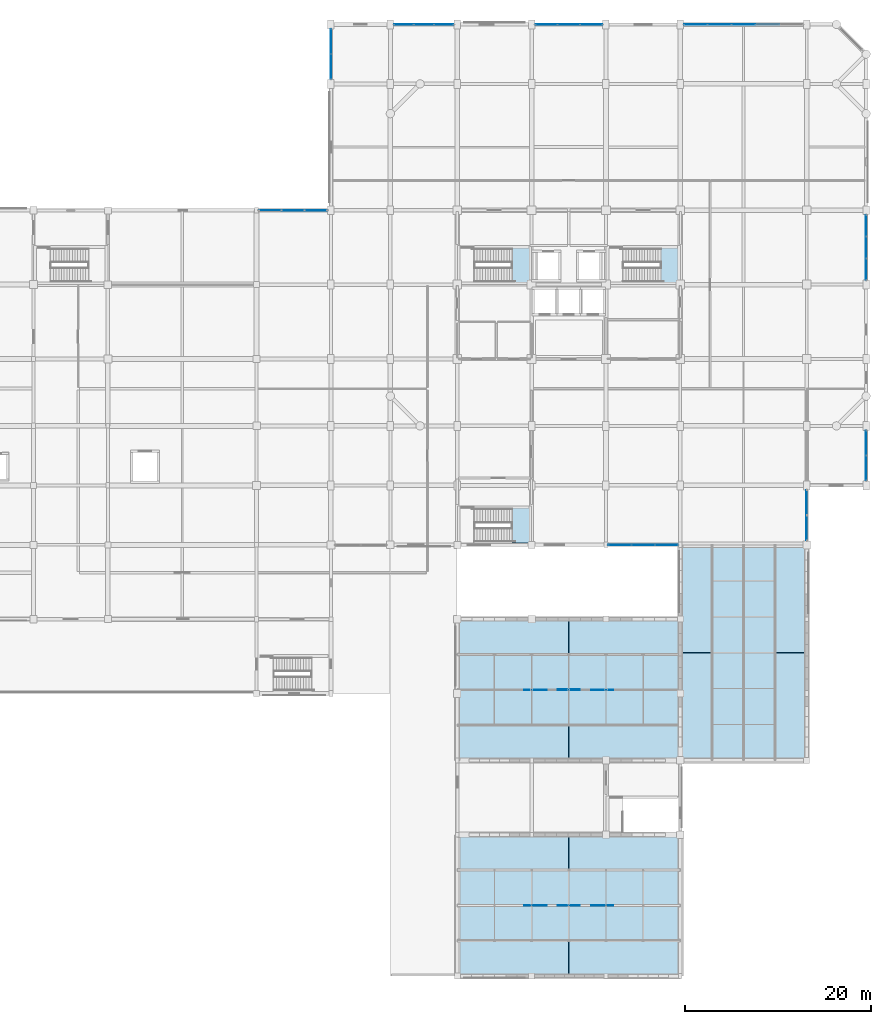
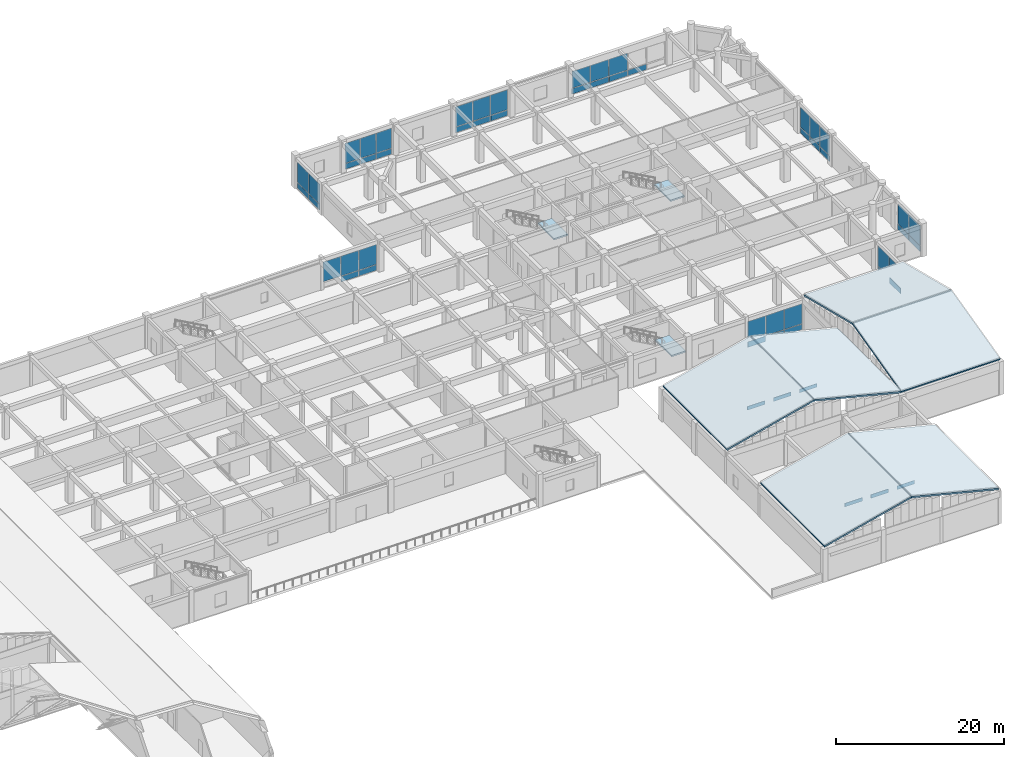
# One storey, part 38 of 61: 54 plates, 9 slabs, 12 elements without a shape of their own.
"""IFC4 building model written with IfcOpenShell, lengths in metres."""

from ifc_helpers import new_model, si_unit, direction, frame, origin, origin_2d, place, context, subcontext, project, spatial, polyline, rectangle, outline, extrude, material, layer, layer_set, type_object, element, aggregate, save


model = new_model("IFC4")

# Units and contexts
model_context = context("Model", 3, precision=1e-05, world=origin(), true_north=direction((0.0, 1.0)))
body_context = subcontext(model_context, "Body", "Model", "MODEL_VIEW")
ifc_project = project(units=[si_unit("LENGTHUNIT", "METRE"), si_unit("AREAUNIT", "SQUARE_METRE"), si_unit("VOLUMEUNIT", "CUBIC_METRE"), si_unit("PLANEANGLEUNIT", "RADIAN"), si_unit("MASSUNIT", "GRAM", prefix="KILO")], contexts=[model_context])

# Site, building, storey
site_placement = place(None, origin())
site = spatial("IfcSite", under=ifc_project, at=site_placement, CompositionType="ELEMENT")
building_placement = place(site_placement, origin())
building = spatial("IfcBuilding", under=site, at=building_placement, Name="Vellmiral Cinema and Media Centre", CompositionType="ELEMENT")
storey_placement = place(building_placement, frame((0.0, 0.0, 10.800048828125)))
storey = spatial("IfcBuildingStorey", under=building, at=storey_placement, Name="L02", CompositionType="ELEMENT", Elevation=10.800048828125)

# Curtain wall, plates
ifc_material_1 = material(Name="Thermally Broken Aluminium and Triple Glazing", Category="aluminium")
curtain_wall_type_1 = type_object("IfcCurtainWallType", Name="CW-LIB-BAY", PredefinedType="USERDEFINED", material=ifc_material_1)
curtain_wall_1_placement = place(storey_placement, origin())
curtain_wall_1 = element("IfcCurtainWall", 1, at=curtain_wall_1_placement, inside=storey, type_object=curtain_wall_type_1, Name="Curtain Wall L02-B041", ObjectType="STICK CURTAIN WALL", PredefinedType="USERDEFINED")
ifc_material_2 = material(Name="Laminated Studio Acoustic Glazing", Category="glass")
ifc_layer_1 = layer(ifc_material_2, 0.0439453125, Name="Laminated Studio Acoustic Glazing")
ifc_layer_set_1 = layer_set([ifc_layer_1], Name="Laminated Studio Acoustic Glazing")
plate_type_1 = type_object("IfcPlateType", Name="CWP-ACOUST-44", PredefinedType="CURTAIN_PANEL", material=ifc_layer_set_1)
plate_1_placement = place(storey_placement, frame((161.60009765625, 61.017578125, 0.93505859375), z_axis=(0.0, 0.0, 1.0), x_axis=(0.0, 1.0, 0.0)))
plate_1 = element("IfcPlate", 2, at=plate_1_placement, type_object=plate_type_1, Name="CW-03 panel 1.2", PredefinedType="CURTAIN_PANEL", context=body_context, shape_type="SweptSolid", body=[
    extrude(rectangle(XDim=2.64501953125, YDim=0.0439453125, at=origin_2d()), origin(), (0.0, 0.0, 1.0), 2.89501953125),
])
plate_2_placement = place(storey_placement, frame((161.60009765625, 63.732421875, 0.93505859375), z_axis=(0.0, 0.0, 1.0), x_axis=(0.0, 1.0, 0.0)))
plate_2 = element("IfcPlate", 3, at=plate_2_placement, type_object=plate_type_1, Name="CW-03 panel 2.2", PredefinedType="CURTAIN_PANEL", context=body_context, shape_type="SweptSolid", body=[
    extrude(rectangle(XDim=2.64501953125, YDim=0.0439453125, at=origin_2d()), origin(), (0.0, 0.0, 1.0), 2.89501953125),
])

curtain_wall_2_placement = place(storey_placement, origin())
curtain_wall_2 = element("IfcCurtainWall", 4, at=curtain_wall_2_placement, inside=storey, type_object=curtain_wall_type_1, Name="Curtain Wall L02-B043", ObjectType="STICK CURTAIN WALL", PredefinedType="USERDEFINED")
plate_3_placement = place(storey_placement, frame((168.0, 67.455078125, 0.93505859375), z_axis=(0.0, 0.0, 1.0), x_axis=(0.0, 1.0, 0.0)))
plate_3 = element("IfcPlate", 5, at=plate_3_placement, type_object=plate_type_1, Name="CW-03 panel 1.2", PredefinedType="CURTAIN_PANEL", context=body_context, shape_type="SweptSolid", body=[
    extrude(rectangle(XDim=2.6201171875, YDim=0.0439453125, at=origin_2d()), origin(), (0.0, 0.0, 1.0), 2.8798828125),
])
plate_4_placement = place(storey_placement, frame((168.0, 70.14501953125, 0.93505859375), z_axis=(0.0, 0.0, 1.0), x_axis=(0.0, 1.0, 0.0)))
plate_4 = element("IfcPlate", 6, at=plate_4_placement, type_object=plate_type_1, Name="CW-03 panel 2.2", PredefinedType="CURTAIN_PANEL", context=body_context, shape_type="SweptSolid", body=[
    extrude(rectangle(XDim=2.6201171875, YDim=0.0439453125, at=origin_2d()), origin(), (0.0, 0.0, 1.0), 2.8798828125),
])

curtain_wall_3_placement = place(storey_placement, origin())
curtain_wall_3 = element("IfcCurtainWall", 7, at=curtain_wall_3_placement, inside=storey, type_object=curtain_wall_type_1, Name="Curtain Wall L02-B047", ObjectType="STICK CURTAIN WALL", PredefinedType="USERDEFINED")
plate_5_placement = place(storey_placement, frame((168.0, 88.867431640625, 0.93505859375), z_axis=(0.0, 0.0, 1.0), x_axis=(0.0, 1.0, 0.0)))
plate_5 = element("IfcPlate", 8, at=plate_5_placement, type_object=plate_type_1, Name="CW-03 panel 1.2", PredefinedType="CURTAIN_PANEL", context=body_context, shape_type="SweptSolid", body=[
    extrude(rectangle(XDim=2.2451171875, YDim=0.0439453125, at=origin_2d()), origin(), (0.0, 0.0, 1.0), 2.89501953125),
])
plate_6_placement = place(storey_placement, frame((168.0, 91.199951171875, 0.93505859375), z_axis=(0.0, 0.0, 1.0), x_axis=(0.0, 1.0, 0.0)))
plate_6 = element("IfcPlate", 9, at=plate_6_placement, type_object=plate_type_1, Name="CW-03 panel 2.2", PredefinedType="CURTAIN_PANEL", context=body_context, shape_type="SweptSolid", body=[
    extrude(rectangle(XDim=2.280029296875, YDim=0.0439453125, at=origin_2d()), origin(), (0.0, 0.0, 1.0), 2.89501953125),
])
plate_7_placement = place(storey_placement, frame((168.0, 93.532470703125, 0.93505859375), z_axis=(0.0, 0.0, 1.0), x_axis=(0.0, 1.0, 0.0)))
plate_7 = element("IfcPlate", 10, at=plate_7_placement, type_object=plate_type_1, Name="CW-03 panel 3.2", PredefinedType="CURTAIN_PANEL", context=body_context, shape_type="SweptSolid", body=[
    extrude(rectangle(XDim=2.2451171875, YDim=0.0439453125, at=origin_2d()), origin(), (0.0, 0.0, 1.0), 2.89501953125),
])

curtain_wall_4_placement = place(storey_placement, origin())
curtain_wall_4 = element("IfcCurtainWall", 11, at=curtain_wall_4_placement, inside=storey, type_object=curtain_wall_type_1, Name="Curtain Wall L02-B053", ObjectType="STICK CURTAIN WALL", PredefinedType="USERDEFINED")
plate_8_placement = place(storey_placement, frame((154.800048828125, 115.199951171875, 0.93505859375), z_axis=(0.0, 0.0, 1.0), x_axis=(-1.0, 0.0, 0.0)))
plate_8 = element("IfcPlate", 12, at=plate_8_placement, type_object=plate_type_1, Name="CW-03 panel 3.2", PredefinedType="CURTAIN_PANEL", context=body_context, shape_type="SweptSolid", body=[
    extrude(rectangle(XDim=2.510009765625, YDim=0.0439453125, at=origin_2d()), origin(), (0.0, 0.0, 1.0), 2.429931640625),
])
plate_9_placement = place(storey_placement, frame((152.219970703125, 115.199951171875, 0.93505859375), z_axis=(0.0, 0.0, 1.0), x_axis=(-1.0, 0.0, 0.0)))
plate_9 = element("IfcPlate", 13, at=plate_9_placement, type_object=plate_type_1, Name="CW-03 panel 4.2", PredefinedType="CURTAIN_PANEL", context=body_context, shape_type="SweptSolid", body=[
    extrude(rectangle(XDim=2.510009765625, YDim=0.0439453125, at=origin_2d()), origin(), (0.0, 0.0, 1.0), 2.429931640625),
])
plate_10_placement = place(storey_placement, frame((149.657470703125, 115.199951171875, 0.93505859375), z_axis=(0.0, 0.0, 1.0), x_axis=(-1.0, 0.0, 0.0)))
plate_10 = element("IfcPlate", 14, at=plate_10_placement, type_object=plate_type_1, Name="CW-03 panel 5.2", PredefinedType="CURTAIN_PANEL", context=body_context, shape_type="SweptSolid", body=[
    extrude(rectangle(XDim=2.47509765625, YDim=0.0439453125, at=origin_2d()), origin(), (0.0, 0.0, 1.0), 2.429931640625),
])

curtain_wall_5_placement = place(storey_placement, origin())
curtain_wall_5 = element("IfcCurtainWall", 15, at=curtain_wall_5_placement, inside=storey, type_object=curtain_wall_type_1, Name="Curtain Wall L02-B055", ObjectType="STICK CURTAIN WALL", PredefinedType="USERDEFINED")
plate_11_placement = place(storey_placement, frame((138.415771484375, 115.199951171875, 0.93505859375), z_axis=(0.0, 0.0, 1.0), x_axis=(-1.0, 0.0, 0.0)))
plate_11 = element("IfcPlate", 16, at=plate_11_placement, type_object=plate_type_1, Name="CW-03 panel 1.2", PredefinedType="CURTAIN_PANEL", context=body_context, shape_type="SweptSolid", body=[
    extrude(rectangle(XDim=2.328369140625, YDim=0.0439453125, at=origin_2d()), origin(), (0.0, 0.0, 1.0), 2.89501953125),
])
plate_12_placement = place(storey_placement, frame((136.0, 115.199951171875, 0.93505859375), z_axis=(0.0, 0.0, 1.0), x_axis=(-1.0, 0.0, 0.0)))
plate_12 = element("IfcPlate", 17, at=plate_12_placement, type_object=plate_type_1, Name="CW-03 panel 2.2", PredefinedType="CURTAIN_PANEL", context=body_context, shape_type="SweptSolid", body=[
    extrude(rectangle(XDim=2.36328125, YDim=0.0439453125, at=origin_2d()), origin(), (0.0, 0.0, 1.0), 2.89501953125),
])
plate_13_placement = place(storey_placement, frame((133.584228515625, 115.199951171875, 0.93505859375), z_axis=(0.0, 0.0, 1.0), x_axis=(-1.0, 0.0, 0.0)))
plate_13 = element("IfcPlate", 18, at=plate_13_placement, type_object=plate_type_1, Name="CW-03 panel 3.2", PredefinedType="CURTAIN_PANEL", context=body_context, shape_type="SweptSolid", body=[
    extrude(rectangle(XDim=2.328369140625, YDim=0.0439453125, at=origin_2d()), origin(), (0.0, 0.0, 1.0), 2.89501953125),
])

curtain_wall_6_placement = place(storey_placement, origin())
curtain_wall_6 = element("IfcCurtainWall", 19, at=curtain_wall_6_placement, inside=storey, type_object=curtain_wall_type_1, Name="Curtain Wall L02-B057", ObjectType="STICK CURTAIN WALL", PredefinedType="USERDEFINED")
plate_14_placement = place(storey_placement, frame((122.549072265625, 115.199951171875, 0.93505859375), z_axis=(0.0, 0.0, 1.0), x_axis=(-1.0, 0.0, 0.0)))
plate_14 = element("IfcPlate", 20, at=plate_14_placement, type_object=plate_type_1, Name="CW-03 panel 1.2", PredefinedType="CURTAIN_PANEL", context=body_context, shape_type="SweptSolid", body=[
    extrude(rectangle(XDim=2.061767578125, YDim=0.0439453125, at=origin_2d()), origin(), (0.0, 0.0, 1.0), 2.89501953125),
])
plate_15_placement = place(storey_placement, frame((120.39990234375, 115.199951171875, 0.93505859375), z_axis=(0.0, 0.0, 1.0), x_axis=(-1.0, 0.0, 0.0)))
plate_15 = element("IfcPlate", 21, at=plate_15_placement, type_object=plate_type_1, Name="CW-03 panel 2.2", PredefinedType="CURTAIN_PANEL", context=body_context, shape_type="SweptSolid", body=[
    extrude(rectangle(XDim=2.0966796875, YDim=0.0439453125, at=origin_2d()), origin(), (0.0, 0.0, 1.0), 2.89501953125),
])
plate_16_placement = place(storey_placement, frame((118.250732421875, 115.199951171875, 0.93505859375), z_axis=(0.0, 0.0, 1.0), x_axis=(-1.0, 0.0, 0.0)))
plate_16 = element("IfcPlate", 22, at=plate_16_placement, type_object=plate_type_1, Name="CW-03 panel 3.2", PredefinedType="CURTAIN_PANEL", context=body_context, shape_type="SweptSolid", body=[
    extrude(rectangle(XDim=2.061767578125, YDim=0.0439453125, at=origin_2d()), origin(), (0.0, 0.0, 1.0), 2.89501953125),
])

curtain_wall_7_placement = place(storey_placement, origin())
curtain_wall_7 = element("IfcCurtainWall", 23, at=curtain_wall_7_placement, inside=storey, type_object=curtain_wall_type_1, Name="Curtain Wall L02-B059", ObjectType="STICK CURTAIN WALL", PredefinedType="USERDEFINED")
plate_17_placement = place(storey_placement, frame((110.39990234375, 113.344970703125, 0.93505859375), z_axis=(0.0, 0.0, 1.0), x_axis=(0.0, -1.0, 0.0)))
plate_17 = element("IfcPlate", 24, at=plate_17_placement, type_object=plate_type_1, Name="CW-03 panel 1.2", PredefinedType="CURTAIN_PANEL", context=body_context, shape_type="SweptSolid", body=[
    extrude(rectangle(XDim=2.6201171875, YDim=0.0439453125, at=origin_2d()), origin(), (0.0, 0.0, 1.0), 2.89501953125),
])
plate_18_placement = place(storey_placement, frame((110.39990234375, 110.655029296875, 0.93505859375), z_axis=(0.0, 0.0, 1.0), x_axis=(0.0, -1.0, 0.0)))
plate_18 = element("IfcPlate", 25, at=plate_18_placement, type_object=plate_type_1, Name="CW-03 panel 2.2", PredefinedType="CURTAIN_PANEL", context=body_context, shape_type="SweptSolid", body=[
    extrude(rectangle(XDim=2.6201171875, YDim=0.0439453125, at=origin_2d()), origin(), (0.0, 0.0, 1.0), 2.89501953125),
])

curtain_wall_8_placement = place(storey_placement, origin())
curtain_wall_8 = element("IfcCurtainWall", 26, at=curtain_wall_8_placement, inside=storey, type_object=curtain_wall_type_1, Name="Curtain Wall L02-B061", ObjectType="STICK CURTAIN WALL", PredefinedType="USERDEFINED")
plate_19_placement = place(storey_placement, frame((108.790771484375, 95.199951171875, 0.93505859375), z_axis=(0.0, 0.0, 1.0), x_axis=(-1.0, 0.0, 0.0)))
plate_19 = element("IfcPlate", 27, at=plate_19_placement, type_object=plate_type_1, Name="CW-03 panel 1.2", PredefinedType="CURTAIN_PANEL", context=body_context, shape_type="SweptSolid", body=[
    extrude(rectangle(XDim=2.37841796875, YDim=0.0439453125, at=origin_2d()), origin(), (0.0, 0.0, 1.0), 2.8798828125),
])
plate_20_placement = place(storey_placement, frame((106.324951171875, 95.199951171875, 0.93505859375), z_axis=(0.0, 0.0, 1.0), x_axis=(-1.0, 0.0, 0.0)))
plate_20 = element("IfcPlate", 28, at=plate_20_placement, type_object=plate_type_1, Name="CW-03 panel 2.2", PredefinedType="CURTAIN_PANEL", context=body_context, shape_type="SweptSolid", body=[
    extrude(rectangle(XDim=2.413330078125, YDim=0.0439453125, at=origin_2d()), origin(), (0.0, 0.0, 1.0), 2.8798828125),
])
plate_21_placement = place(storey_placement, frame((103.859130859375, 95.199951171875, 0.93505859375), z_axis=(0.0, 0.0, 1.0), x_axis=(-1.0, 0.0, 0.0)))
plate_21 = element("IfcPlate", 29, at=plate_21_placement, type_object=plate_type_1, Name="CW-03 panel 3.2", PredefinedType="CURTAIN_PANEL", context=body_context, shape_type="SweptSolid", body=[
    extrude(rectangle(XDim=2.37841796875, YDim=0.0439453125, at=origin_2d()), origin(), (0.0, 0.0, 1.0), 2.8798828125),
])

# Plate
ifc_material_3 = material(Name="Honed Vosges Sandstone Spandrel Panel", Category="masonry")
ifc_layer_2 = layer(ifc_material_3, 0.06005859375, Name="Honed Vosges Sandstone Spandrel Panel")
ifc_layer_set_2 = layer_set([ifc_layer_2], Name="Honed Vosges Sandstone Spandrel Panel")
plate_type_2 = type_object("IfcPlateType", Name="CWP-SAND-60", PredefinedType="CURTAIN_PANEL", material=ifc_layer_set_2)
plate_22_placement = place(storey_placement, frame((161.60009765625, 61.017578125, 0.070068359375), z_axis=(0.0, 0.0, 1.0), x_axis=(0.0, 1.0, 0.0)))
plate_22 = element("IfcPlate", 30, at=plate_22_placement, type_object=plate_type_2, Name="CW-03 panel 1.1", PredefinedType="CURTAIN_PANEL", context=body_context, shape_type="SweptSolid", body=[
    extrude(rectangle(XDim=2.64501953125, YDim=0.06005859375, at=origin_2d()), origin(), (0.0, 0.0, 1.0), 0.794921875),
])

plate_23_placement = place(storey_placement, frame((161.60009765625, 63.732421875, 0.070068359375), z_axis=(0.0, 0.0, 1.0), x_axis=(0.0, 1.0, 0.0)))
plate_23 = element("IfcPlate", 31, at=plate_23_placement, type_object=plate_type_2, Name="CW-03 panel 2.1", PredefinedType="CURTAIN_PANEL", context=body_context, shape_type="SweptSolid", body=[
    extrude(rectangle(XDim=2.64501953125, YDim=0.06005859375, at=origin_2d()), origin(), (0.0, 0.0, 1.0), 0.794921875),
])

aggregate(curtain_wall_1, [plate_22, plate_1, plate_23, plate_2])

plate_24_placement = place(storey_placement, frame((168.0, 67.455078125, 0.070068359375), z_axis=(0.0, 0.0, 1.0), x_axis=(0.0, 1.0, 0.0)))
plate_24 = element("IfcPlate", 32, at=plate_24_placement, type_object=plate_type_2, Name="CW-03 panel 1.1", PredefinedType="CURTAIN_PANEL", context=body_context, shape_type="SweptSolid", body=[
    extrude(rectangle(XDim=2.6201171875, YDim=0.06005859375, at=origin_2d()), origin(), (0.0, 0.0, 1.0), 0.794921875),
])

plate_25_placement = place(storey_placement, frame((168.0, 70.14501953125, 0.070068359375), z_axis=(0.0, 0.0, 1.0), x_axis=(0.0, 1.0, 0.0)))
plate_25 = element("IfcPlate", 33, at=plate_25_placement, type_object=plate_type_2, Name="CW-03 panel 2.1", PredefinedType="CURTAIN_PANEL", context=body_context, shape_type="SweptSolid", body=[
    extrude(rectangle(XDim=2.6201171875, YDim=0.06005859375, at=origin_2d()), origin(), (0.0, 0.0, 1.0), 0.794921875),
])

aggregate(curtain_wall_2, [plate_24, plate_3, plate_25, plate_4])

plate_26_placement = place(storey_placement, frame((168.0, 88.867431640625, 0.070068359375), z_axis=(0.0, 0.0, 1.0), x_axis=(0.0, 1.0, 0.0)))
plate_26 = element("IfcPlate", 34, at=plate_26_placement, type_object=plate_type_2, Name="CW-03 panel 1.1", PredefinedType="CURTAIN_PANEL", context=body_context, shape_type="SweptSolid", body=[
    extrude(rectangle(XDim=2.2451171875, YDim=0.06005859375, at=origin_2d()), origin(), (0.0, 0.0, 1.0), 0.794921875),
])

plate_27_placement = place(storey_placement, frame((168.0, 91.199951171875, 0.070068359375), z_axis=(0.0, 0.0, 1.0), x_axis=(0.0, 1.0, 0.0)))
plate_27 = element("IfcPlate", 35, at=plate_27_placement, type_object=plate_type_2, Name="CW-03 panel 2.1", PredefinedType="CURTAIN_PANEL", context=body_context, shape_type="SweptSolid", body=[
    extrude(rectangle(XDim=2.280029296875, YDim=0.06005859375, at=origin_2d()), origin(), (0.0, 0.0, 1.0), 0.794921875),
])

plate_28_placement = place(storey_placement, frame((168.0, 93.532470703125, 0.070068359375), z_axis=(0.0, 0.0, 1.0), x_axis=(0.0, 1.0, 0.0)))
plate_28 = element("IfcPlate", 36, at=plate_28_placement, type_object=plate_type_2, Name="CW-03 panel 3.1", PredefinedType="CURTAIN_PANEL", context=body_context, shape_type="SweptSolid", body=[
    extrude(rectangle(XDim=2.2451171875, YDim=0.06005859375, at=origin_2d()), origin(), (0.0, 0.0, 1.0), 0.794921875),
])

aggregate(curtain_wall_3, [plate_26, plate_5, plate_27, plate_6, plate_28, plate_7])

plate_29_placement = place(storey_placement, frame((157.3798828125, 115.199951171875, 0.070068359375), z_axis=(0.0, 0.0, 1.0), x_axis=(-1.0, 0.0, 0.0)))
plate_29 = element("IfcPlate", 37, at=plate_29_placement, type_object=plate_type_2, Name="CW-03 panel 2.1", PredefinedType="CURTAIN_PANEL", context=body_context, shape_type="SweptSolid", body=[
    extrude(rectangle(XDim=2.510009765625, YDim=0.06005859375, at=origin_2d()), origin(), (0.0, 0.0, 1.0), 0.794921875),
])

plate_30_placement = place(storey_placement, frame((154.800048828125, 115.199951171875, 0.070068359375), z_axis=(0.0, 0.0, 1.0), x_axis=(-1.0, 0.0, 0.0)))
plate_30 = element("IfcPlate", 38, at=plate_30_placement, type_object=plate_type_2, Name="CW-03 panel 3.1", PredefinedType="CURTAIN_PANEL", context=body_context, shape_type="SweptSolid", body=[
    extrude(rectangle(XDim=2.510009765625, YDim=0.06005859375, at=origin_2d()), origin(), (0.0, 0.0, 1.0), 0.794921875),
])

plate_31_placement = place(storey_placement, frame((152.219970703125, 115.199951171875, 0.070068359375), z_axis=(0.0, 0.0, 1.0), x_axis=(-1.0, 0.0, 0.0)))
plate_31 = element("IfcPlate", 39, at=plate_31_placement, type_object=plate_type_2, Name="CW-03 panel 4.1", PredefinedType="CURTAIN_PANEL", context=body_context, shape_type="SweptSolid", body=[
    extrude(rectangle(XDim=2.510009765625, YDim=0.06005859375, at=origin_2d()), origin(), (0.0, 0.0, 1.0), 0.794921875),
])

plate_32_placement = place(storey_placement, frame((149.657470703125, 115.199951171875, 0.070068359375), z_axis=(0.0, 0.0, 1.0), x_axis=(-1.0, 0.0, 0.0)))
plate_32 = element("IfcPlate", 40, at=plate_32_placement, type_object=plate_type_2, Name="CW-03 panel 5.1", PredefinedType="CURTAIN_PANEL", context=body_context, shape_type="SweptSolid", body=[
    extrude(rectangle(XDim=2.47509765625, YDim=0.06005859375, at=origin_2d()), origin(), (0.0, 0.0, 1.0), 0.794921875),
])

aggregate(curtain_wall_4, [plate_29, plate_30, plate_8, plate_31, plate_9, plate_32, plate_10])

plate_33_placement = place(storey_placement, frame((138.415771484375, 115.199951171875, 0.070068359375), z_axis=(0.0, 0.0, 1.0), x_axis=(-1.0, 0.0, 0.0)))
plate_33 = element("IfcPlate", 41, at=plate_33_placement, type_object=plate_type_2, Name="CW-03 panel 1.1", PredefinedType="CURTAIN_PANEL", context=body_context, shape_type="SweptSolid", body=[
    extrude(rectangle(XDim=2.328369140625, YDim=0.06005859375, at=origin_2d()), origin(), (0.0, 0.0, 1.0), 0.794921875),
])

plate_34_placement = place(storey_placement, frame((136.0, 115.199951171875, 0.070068359375), z_axis=(0.0, 0.0, 1.0), x_axis=(-1.0, 0.0, 0.0)))
plate_34 = element("IfcPlate", 42, at=plate_34_placement, type_object=plate_type_2, Name="CW-03 panel 2.1", PredefinedType="CURTAIN_PANEL", context=body_context, shape_type="SweptSolid", body=[
    extrude(rectangle(XDim=2.36328125, YDim=0.06005859375, at=origin_2d()), origin(), (0.0, 0.0, 1.0), 0.794921875),
])

plate_35_placement = place(storey_placement, frame((133.584228515625, 115.199951171875, 0.070068359375), z_axis=(0.0, 0.0, 1.0), x_axis=(-1.0, 0.0, 0.0)))
plate_35 = element("IfcPlate", 43, at=plate_35_placement, type_object=plate_type_2, Name="CW-03 panel 3.1", PredefinedType="CURTAIN_PANEL", context=body_context, shape_type="SweptSolid", body=[
    extrude(rectangle(XDim=2.328369140625, YDim=0.06005859375, at=origin_2d()), origin(), (0.0, 0.0, 1.0), 0.794921875),
])

aggregate(curtain_wall_5, [plate_33, plate_11, plate_34, plate_12, plate_35, plate_13])

plate_36_placement = place(storey_placement, frame((122.549072265625, 115.199951171875, 0.070068359375), z_axis=(0.0, 0.0, 1.0), x_axis=(-1.0, 0.0, 0.0)))
plate_36 = element("IfcPlate", 44, at=plate_36_placement, type_object=plate_type_2, Name="CW-03 panel 1.1", PredefinedType="CURTAIN_PANEL", context=body_context, shape_type="SweptSolid", body=[
    extrude(rectangle(XDim=2.061767578125, YDim=0.06005859375, at=origin_2d()), origin(), (0.0, 0.0, 1.0), 0.794921875),
])

plate_37_placement = place(storey_placement, frame((120.39990234375, 115.199951171875, 0.070068359375), z_axis=(0.0, 0.0, 1.0), x_axis=(-1.0, 0.0, 0.0)))
plate_37 = element("IfcPlate", 45, at=plate_37_placement, type_object=plate_type_2, Name="CW-03 panel 2.1", PredefinedType="CURTAIN_PANEL", context=body_context, shape_type="SweptSolid", body=[
    extrude(rectangle(XDim=2.0966796875, YDim=0.06005859375, at=origin_2d()), origin(), (0.0, 0.0, 1.0), 0.794921875),
])

plate_38_placement = place(storey_placement, frame((118.250732421875, 115.199951171875, 0.070068359375), z_axis=(0.0, 0.0, 1.0), x_axis=(-1.0, 0.0, 0.0)))
plate_38 = element("IfcPlate", 46, at=plate_38_placement, type_object=plate_type_2, Name="CW-03 panel 3.1", PredefinedType="CURTAIN_PANEL", context=body_context, shape_type="SweptSolid", body=[
    extrude(rectangle(XDim=2.061767578125, YDim=0.06005859375, at=origin_2d()), origin(), (0.0, 0.0, 1.0), 0.794921875),
])

aggregate(curtain_wall_6, [plate_36, plate_14, plate_37, plate_15, plate_38, plate_16])

plate_39_placement = place(storey_placement, frame((110.39990234375, 113.344970703125, 0.070068359375), z_axis=(0.0, 0.0, 1.0), x_axis=(0.0, -1.0, 0.0)))
plate_39 = element("IfcPlate", 47, at=plate_39_placement, type_object=plate_type_2, Name="CW-03 panel 1.1", PredefinedType="CURTAIN_PANEL", context=body_context, shape_type="SweptSolid", body=[
    extrude(rectangle(XDim=2.6201171875, YDim=0.06005859375, at=origin_2d()), origin(), (0.0, 0.0, 1.0), 0.794921875),
])

plate_40_placement = place(storey_placement, frame((110.39990234375, 110.655029296875, 0.070068359375), z_axis=(0.0, 0.0, 1.0), x_axis=(0.0, -1.0, 0.0)))
plate_40 = element("IfcPlate", 48, at=plate_40_placement, type_object=plate_type_2, Name="CW-03 panel 2.1", PredefinedType="CURTAIN_PANEL", context=body_context, shape_type="SweptSolid", body=[
    extrude(rectangle(XDim=2.6201171875, YDim=0.06005859375, at=origin_2d()), origin(), (0.0, 0.0, 1.0), 0.794921875),
])

aggregate(curtain_wall_7, [plate_39, plate_17, plate_40, plate_18])

plate_41_placement = place(storey_placement, frame((108.790771484375, 95.199951171875, 0.070068359375), z_axis=(0.0, 0.0, 1.0), x_axis=(-1.0, 0.0, 0.0)))
plate_41 = element("IfcPlate", 49, at=plate_41_placement, type_object=plate_type_2, Name="CW-03 panel 1.1", PredefinedType="CURTAIN_PANEL", context=body_context, shape_type="SweptSolid", body=[
    extrude(rectangle(XDim=2.37841796875, YDim=0.06005859375, at=origin_2d()), origin(), (0.0, 0.0, 1.0), 0.794921875),
])

plate_42_placement = place(storey_placement, frame((106.324951171875, 95.199951171875, 0.070068359375), z_axis=(0.0, 0.0, 1.0), x_axis=(-1.0, 0.0, 0.0)))
plate_42 = element("IfcPlate", 50, at=plate_42_placement, type_object=plate_type_2, Name="CW-03 panel 2.1", PredefinedType="CURTAIN_PANEL", context=body_context, shape_type="SweptSolid", body=[
    extrude(rectangle(XDim=2.413330078125, YDim=0.06005859375, at=origin_2d()), origin(), (0.0, 0.0, 1.0), 0.794921875),
])

aggregate(curtain_wall_8, [plate_41, plate_19, plate_42, plate_20, plate_21])

# Curtain wall, plates
ifc_material_4 = material(Name="Thermally Broken Aluminium and Triple Glazing", Category="aluminium")
curtain_wall_type_2 = type_object("IfcCurtainWallType", Name="CW-POD-GALLERY", PredefinedType="USERDEFINED", material=ifc_material_4)
curtain_wall_9_placement = place(storey_placement, origin())
curtain_wall_9 = element("IfcCurtainWall", 51, at=curtain_wall_9_placement, inside=storey, type_object=curtain_wall_type_2, Name="Curtain Wall L02-B023", ObjectType="STICK CURTAIN WALL", PredefinedType="USERDEFINED")
ifc_material_5 = material(Name="Polychrome Trencadis Ceramic Spandrel Panel", Category="ceramic")
ifc_layer_3 = layer(ifc_material_5, 0.052001953125, Name="Polychrome Trencadis Ceramic Spandrel Panel")
ifc_layer_set_3 = layer_set([ifc_layer_3], Name="Polychrome Trencadis Ceramic Spandrel Panel")
plate_type_3 = type_object("IfcPlateType", Name="CWP-TRENC-52", PredefinedType="CURTAIN_PANEL", material=ifc_layer_set_3)
plate_43_placement = place(storey_placement, frame((141.484130859375, 59.199951171875, 0.070068359375), z_axis=(0.0, 0.0, 1.0), x_axis=(1.0, 0.0, 0.0)))
plate_43 = element("IfcPlate", 52, at=plate_43_placement, type_object=plate_type_3, Name="CW-04 panel 1.1", PredefinedType="CURTAIN_PANEL", context=body_context, shape_type="SweptSolid", body=[
    extrude(rectangle(XDim=2.42822265625, YDim=0.052001953125, at=origin_2d()), origin(), (0.0, 0.0, 1.0), 0.794921875),
])
plate_44_placement = place(storey_placement, frame((144.0, 59.199951171875, 0.070068359375), z_axis=(0.0, 0.0, 1.0), x_axis=(1.0, 0.0, 0.0)))
plate_44 = element("IfcPlate", 53, at=plate_44_placement, type_object=plate_type_3, Name="CW-04 panel 2.1", PredefinedType="CURTAIN_PANEL", context=body_context, shape_type="SweptSolid", body=[
    extrude(rectangle(XDim=2.46337890625, YDim=0.052001953125, at=origin_2d()), origin(), (0.0, 0.0, 1.0), 0.794921875),
])
plate_45_placement = place(storey_placement, frame((146.515869140625, 59.199951171875, 0.070068359375), z_axis=(0.0, 0.0, 1.0), x_axis=(1.0, 0.0, 0.0)))
plate_45 = element("IfcPlate", 54, at=plate_45_placement, type_object=plate_type_3, Name="CW-04 panel 3.1", PredefinedType="CURTAIN_PANEL", context=body_context, shape_type="SweptSolid", body=[
    extrude(rectangle(XDim=2.42822265625, YDim=0.052001953125, at=origin_2d()), origin(), (0.0, 0.0, 1.0), 0.794921875),
])
ifc_material_6 = material(Name="Triple Low-E Vision Glazing", Category="glass")
ifc_layer_4 = layer(ifc_material_6, 0.0380859375, Name="Triple Low-E Vision Glazing")
ifc_layer_set_4 = layer_set([ifc_layer_4], Name="Triple Low-E Vision Glazing")
plate_type_4 = type_object("IfcPlateType", Name="CWP-VISION-38", PredefinedType="CURTAIN_PANEL", material=ifc_layer_set_4)
plate_46_placement = place(storey_placement, frame((141.484130859375, 59.199951171875, 0.93505859375), z_axis=(0.0, 0.0, 1.0), x_axis=(1.0, 0.0, 0.0)))
plate_46 = element("IfcPlate", 55, at=plate_46_placement, type_object=plate_type_4, Name="CW-04 panel 1.2", PredefinedType="CURTAIN_PANEL", context=body_context, shape_type="SweptSolid", body=[
    extrude(rectangle(XDim=2.42822265625, YDim=0.0380859375, at=origin_2d()), origin(), (0.0, 0.0, 1.0), 2.89501953125),
])
plate_47_placement = place(storey_placement, frame((144.0, 59.199951171875, 0.93505859375), z_axis=(0.0, 0.0, 1.0), x_axis=(1.0, 0.0, 0.0)))
plate_47 = element("IfcPlate", 56, at=plate_47_placement, type_object=plate_type_4, Name="CW-04 panel 2.2", PredefinedType="CURTAIN_PANEL", context=body_context, shape_type="SweptSolid", body=[
    extrude(rectangle(XDim=2.46337890625, YDim=0.0380859375, at=origin_2d()), origin(), (0.0, 0.0, 1.0), 2.89501953125),
])
plate_48_placement = place(storey_placement, frame((146.515869140625, 59.199951171875, 0.93505859375), z_axis=(0.0, 0.0, 1.0), x_axis=(1.0, 0.0, 0.0)))
plate_48 = element("IfcPlate", 57, at=plate_48_placement, type_object=plate_type_4, Name="CW-04 panel 3.2", PredefinedType="CURTAIN_PANEL", context=body_context, shape_type="SweptSolid", body=[
    extrude(rectangle(XDim=2.42822265625, YDim=0.0380859375, at=origin_2d()), origin(), (0.0, 0.0, 1.0), 2.89501953125),
])
aggregate(curtain_wall_9, [plate_43, plate_46, plate_44, plate_47, plate_45, plate_48])

# Plates
ifc_material_7 = material(Name="Steel S355", Category="steel")
ifc_layer_5 = layer(ifc_material_7, 0.048095703125, Name="Steel S355")
ifc_layer_set_5 = layer_set([ifc_layer_5], Name="Steel S355")
plate_type_5 = type_object("IfcPlateType", Name="PLT-BAFFLE-48", PredefinedType="SHEET", material=ifc_layer_set_5)
for number, where, z_axis, x_axis, name in (
    (58, (139.60009765625, 20.39990234375, 3.58984375), (0.0, 0.0, 1.0), (1.0, 0.0, 0.0), "Acoustic Truss Baffle Plate 15"),
    (59, (139.60009765625, 43.60009765625, 3.58984375), (0.0, 0.0, 1.0), (1.0, 0.0, 0.0), "Acoustic Truss Baffle Plate 18"),
):
    element("IfcPlate", number, at=place(storey_placement, frame(where, z_axis=z_axis, x_axis=x_axis)), inside=storey, type_object=plate_type_5, Name=name, PredefinedType="SHEET", context=body_context, shape_type="SweptSolid", body=[
        extrude(rectangle(XDim=2.39990234375, YDim=0.048095703125, at=origin_2d()), origin(), (0.0, 0.0, 1.0), 0.52001953125),
    ])
ifc_material_8 = material(Name="Steel S355", Category="steel")
ifc_layer_6 = layer(ifc_material_8, 0.06396484375, Name="Steel S355")
ifc_layer_set_6 = layer_set([ifc_layer_6], Name="Steel S355")
plate_type_6 = type_object("IfcPlateType", Name="PLT-BAFFLE-64", PredefinedType="SHEET", material=ifc_layer_set_6)
for number, where, z_axis, x_axis, name in (
    (60, (132.39990234375, 20.39990234375, 3.58984375), (0.0, 0.0, 1.0), (1.0, 0.0, 0.0), "Acoustic Truss Baffle Plate 13"),
    (61, (132.39990234375, 43.60009765625, 3.58984375), (0.0, 0.0, 1.0), (1.0, 0.0, 0.0), "Acoustic Truss Baffle Plate 16"),
):
    element("IfcPlate", number, at=place(storey_placement, frame(where, z_axis=z_axis, x_axis=x_axis)), inside=storey, type_object=plate_type_6, Name=name, PredefinedType="SHEET", context=body_context, shape_type="SweptSolid", body=[
        extrude(rectangle(XDim=2.39990234375, YDim=0.06396484375, at=origin_2d()), origin(), (0.0, 0.0, 1.0), 0.52001953125),
    ])
ifc_material_9 = material(Name="Steel S355", Category="steel")
ifc_layer_7 = layer(ifc_material_9, 0.080078125, Name="Steel S355")
ifc_layer_set_7 = layer_set([ifc_layer_7], Name="Steel S355")
plate_type_7 = type_object("IfcPlateType", Name="PLT-BAFFLE-80", PredefinedType="SHEET", material=ifc_layer_set_7)
for number, where, z_axis, x_axis, name in (
    (62, (136.0, 20.39990234375, 3.58984375), (0.0, 0.0, 1.0), (1.0, 0.0, 0.0), "Acoustic Truss Baffle Plate 14"),
    (63, (136.0, 43.60009765625, 3.58984375), (0.0, 0.0, 1.0), (1.0, 0.0, 0.0), "Acoustic Truss Baffle Plate 17"),
):
    element("IfcPlate", number, at=place(storey_placement, frame(where, z_axis=z_axis, x_axis=x_axis)), inside=storey, type_object=plate_type_7, Name=name, PredefinedType="SHEET", context=body_context, shape_type="SweptSolid", body=[
        extrude(rectangle(XDim=2.39990234375, YDim=0.080078125, at=origin_2d()), origin(), (0.0, 0.0, 1.0), 0.52001953125),
    ])

# Stair, slab
ifc_material_10 = material(Name="Concrete C40/50", Category="concrete")
stair_type = type_object("IfcStairType", Name="ST-2RET-480", PredefinedType="HALF_TURN_STAIR", material=ifc_material_10)
stair_1_placement = place(storey_placement, origin())
stair_1 = element("IfcStair", 64, at=stair_1_placement, inside=storey, type_object=stair_type, Name="Protected Escape Stair ST-P6 (L02)", PredefinedType="HALF_TURN_STAIR")
ifc_material_11 = material(Name="Concrete C40/50", Category="concrete")
ifc_layer_8 = layer(ifc_material_11, 0.219970703125, Name="Concrete C40/50")
ifc_layer_set_8 = layer_set([ifc_layer_8], Name="Concrete C40/50")
slab_type_1 = type_object("IfcSlabType", Name="SLB-LAND-220", PredefinedType="LANDING", material=ifc_layer_set_8)
slab_1_placement = place(storey_placement, frame((0.0, 0.0, 2.179931640625)))
slab_1 = element("IfcSlab", 65, at=slab_1_placement, type_object=slab_type_1, Name="ST-P6 landing 1", PredefinedType="LANDING", context=body_context, shape_type="SweptSolid", body=[
    extrude(outline(polyline([(129.909912109375, 59.3798828125), (131.820068359375, 59.3798828125), (131.820068359375, 63.219970703125), (129.909912109375, 63.219970703125), (129.909912109375, 59.3798828125)])), origin(), (0.0, 0.0, 1.0), 0.219970703125),
])
aggregate(stair_1, [slab_1])

stair_2_placement = place(storey_placement, origin())
stair_2 = element("IfcStair", 66, at=stair_2_placement, inside=storey, type_object=stair_type, Name="Protected Escape Stair ST-T1 (L02)", PredefinedType="HALF_TURN_STAIR")
slab_2_placement = place(storey_placement, frame((0.0, 0.0, 2.179931640625)))
slab_2 = element("IfcSlab", 67, at=slab_2_placement, type_object=slab_type_1, Name="ST-T1 landing 1", PredefinedType="LANDING", context=body_context, shape_type="SweptSolid", body=[
    extrude(outline(polyline([(129.909912109375, 87.3798828125), (131.820068359375, 87.3798828125), (131.820068359375, 91.219970703125), (129.909912109375, 91.219970703125), (129.909912109375, 87.3798828125)])), origin(), (0.0, 0.0, 1.0), 0.219970703125),
])
aggregate(stair_2, [slab_2])

stair_3_placement = place(storey_placement, origin())
stair_3 = element("IfcStair", 68, at=stair_3_placement, inside=storey, type_object=stair_type, Name="Protected Escape Stair ST-T2 (L02)", PredefinedType="HALF_TURN_STAIR")
slab_3_placement = place(storey_placement, frame((0.0, 0.0, 2.179931640625)))
slab_3 = element("IfcSlab", 69, at=slab_3_placement, type_object=slab_type_1, Name="ST-T2 landing 1", PredefinedType="LANDING", context=body_context, shape_type="SweptSolid", body=[
    extrude(outline(polyline([(145.909912109375, 87.3798828125), (147.820068359375, 87.3798828125), (147.820068359375, 91.219970703125), (145.909912109375, 91.219970703125), (145.909912109375, 87.3798828125)])), origin(), (0.0, 0.0, 1.0), 0.219970703125),
])
aggregate(stair_3, [slab_3])

# Slabs
ifc_material_12 = material(Name="Concrete C40/50", Category="concrete")
ifc_layer_9 = layer(ifc_material_12, 0.219970703125, Name="Concrete C40/50")
ifc_layer_set_9 = layer_set([ifc_layer_9], Name="Concrete C40/50")
slab_type_2 = type_object("IfcSlabType", Name="SLB-ROOF-220", PredefinedType="ROOF", material=ifc_layer_set_9)
for number, where, z_axis, x_axis, name in (
    (70, (124.0, 12.800048828125, 5.026611328125), (-0.241929649535, 0.0, 0.97029379297), (0.97029379297, 0.0, 0.241929649535), "Cinema Screen 5 Structural Roof Slab A"),
    (71, (136.04150390625, 12.800048828125, 8.00830078125), (0.241929649535, 0.0, 0.97029379297), (0.97029379297, 0.0, -0.241929649535), "Cinema Screen 5 Structural Roof Slab B"),
    (72, (124.0, 36.0, 5.026611328125), (-0.241929649535, 0.0, 0.97029379297), (0.97029379297, 0.0, 0.241929649535), "Cinema Screen 6 Structural Roof Slab A"),
    (73, (136.04150390625, 36.0, 8.00830078125), (0.241929649535, 0.0, 0.97029379297), (0.97029379297, 0.0, -0.241929649535), "Cinema Screen 6 Structural Roof Slab B"),
):
    element("IfcSlab", number, at=place(storey_placement, frame(where, z_axis=z_axis, x_axis=x_axis)), inside=storey, type_object=slab_type_2, Name=name, PredefinedType="ROOF", context=body_context, shape_type="SweptSolid", body=[
        extrude(outline(polyline([(0.0, 0.0), (12.324613617436892, 0.0), (12.324613617436892, 15.199951171875), (0.0, 15.199951171875), (0.0, 0.0)])), origin(), (0.0, 0.0, -1.0), 0.219970703125),
    ])
for number, where, z_axis, x_axis, name in (
    (74, (148.0, 36.0, 5.026611328125), (0.0, -0.241923137486, 0.970295416638), (1.0, 0.0, 0.0), "Cinema Screen 7 Structural Roof Slab A"),
    (75, (148.0, 47.6416015625, 7.908447265625), (0.0, 0.241923137486, 0.970295416638), (1.0, 0.0, 0.0), "Cinema Screen 7 Structural Roof Slab B"),
):
    element("IfcSlab", number, at=place(storey_placement, frame(where, z_axis=z_axis, x_axis=x_axis)), inside=storey, type_object=slab_type_2, Name=name, PredefinedType="ROOF", context=body_context, shape_type="SweptSolid", body=[
        extrude(outline(polyline([(0.0, 0.0), (13.60009765625, 0.0), (13.60009765625, 11.912196441597398), (0.0, 11.912196441597398), (0.0, 0.0)])), origin(), (0.0, 0.0, -1.0), 0.219970703125),
    ])

save(model, "model.ifc")
